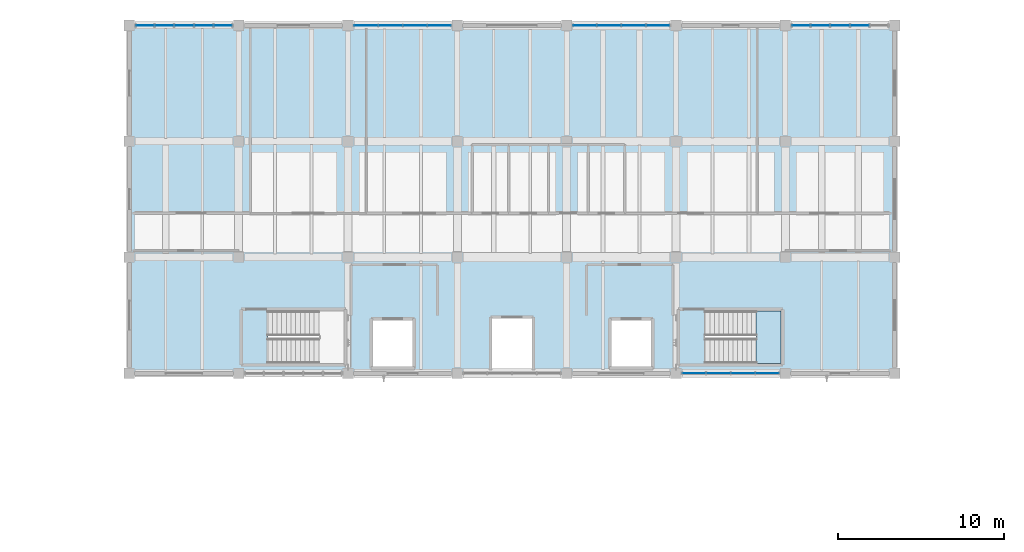
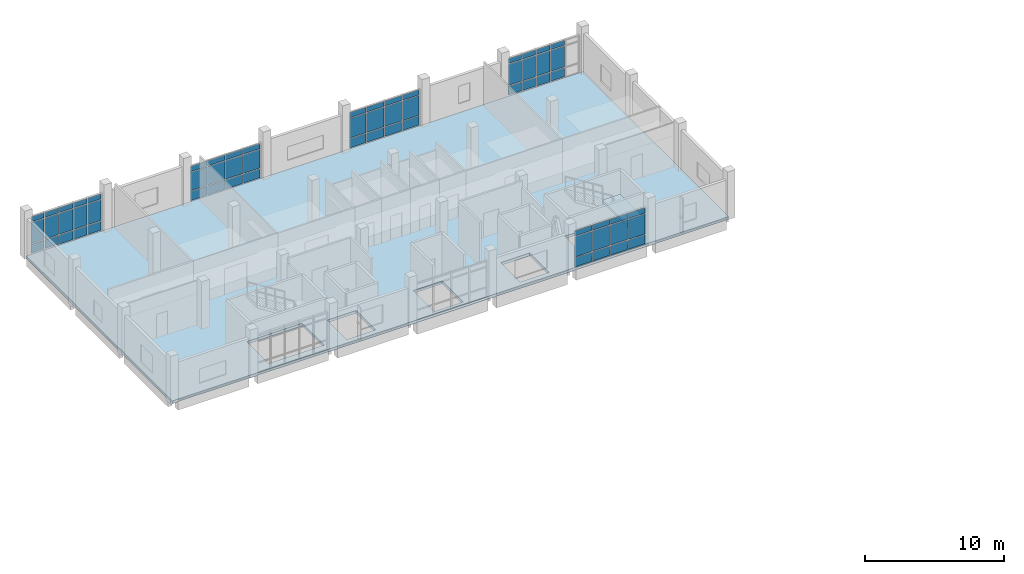
# One storey, part 8 of 16: 63 plates, 2 slabs, 6 elements without a shape of their own.
"""IFC4 building model written with IfcOpenShell, lengths in metres."""

from ifc_helpers import new_model, si_unit, direction, frame, origin, origin_2d, place, context, subcontext, project, spatial, polyline, rectangle, outline, extrude, material, layer, layer_set, type_object, element, aggregate, save


model = new_model("IFC4")

# Units and contexts
model_context = context("Model", 3, precision=1e-05, world=origin(), true_north=direction((0.0, 1.0)))
body_context = subcontext(model_context, "Body", "Model", "MODEL_VIEW")
ifc_project = project(units=[si_unit("LENGTHUNIT", "METRE"), si_unit("AREAUNIT", "SQUARE_METRE"), si_unit("VOLUMEUNIT", "CUBIC_METRE"), si_unit("PLANEANGLEUNIT", "RADIAN"), si_unit("MASSUNIT", "GRAM", prefix="KILO")], contexts=[model_context])

# Site, building, storey
site_placement = place(None, origin())
site = spatial("IfcSite", under=ifc_project, at=site_placement, CompositionType="ELEMENT")
building_placement = place(site_placement, origin())
building = spatial("IfcBuilding", under=site, at=building_placement, Name="Ciguamira Faculty of Natural Sciences", CompositionType="ELEMENT")
storey_placement = place(building_placement, frame((0.0, 0.0, 25.199951171875)))
storey = spatial("IfcBuildingStorey", under=building, at=storey_placement, Name="L06", CompositionType="ELEMENT", Elevation=25.199951171875)

# Curtain wall, plates
ifc_material_1 = material(Name="Anodized aluminium curtain wall", Category="aluminium")
curtain_wall_type_1 = type_object("IfcCurtainWallType", Name="CurtainWall_CW-11", PredefinedType="USERDEFINED", material=ifc_material_1)
curtain_wall_1_placement = place(storey_placement, origin())
curtain_wall_1 = element("IfcCurtainWall", 1, at=curtain_wall_1_placement, inside=storey, type_object=curtain_wall_type_1, Name="L06 unitised curtain wall 0143", ObjectType="UNITISED CURTAIN WALL", PredefinedType="USERDEFINED")
ifc_material_2 = material(Name="Low-E laminated solar glass", Category="glass")
ifc_layer_1 = layer(ifc_material_2, 0.028076171875, Name="Low-E laminated solar glass")
ifc_layer_set_1 = layer_set([ifc_layer_1], Name="Low-E laminated solar glass")
plate_type_1 = type_object("IfcPlateType", Name="CWPanel_CWP-01", PredefinedType="CURTAIN_PANEL", material=ifc_layer_set_1)
plate_1_placement = place(storey_placement, frame((97.986328125, 94.0, 0.070068359375), z_axis=(0.0, 0.0, 1.0), x_axis=(1.0, 0.0, 0.0)))
plate_1 = element("IfcPlate", 2, at=plate_1_placement, type_object=plate_type_1, Name="CW-11 panel 1.1", PredefinedType="CURTAIN_PANEL", context=body_context, shape_type="SweptSolid", body=[
    extrude(rectangle(XDim=1.382568359375, YDim=0.028076171875, at=origin_2d()), origin(), (0.0, 0.0, 1.0), 0.794921875),
])
plate_2_placement = place(storey_placement, frame((97.986328125, 94.0, 0.93505859375), z_axis=(0.0, 0.0, 1.0), x_axis=(1.0, 0.0, 0.0)))
plate_2 = element("IfcPlate", 3, at=plate_2_placement, type_object=plate_type_1, Name="CW-11 panel 1.2", PredefinedType="CURTAIN_PANEL", context=body_context, shape_type="SweptSolid", body=[
    extrude(rectangle(XDim=1.382568359375, YDim=0.028076171875, at=origin_2d()), origin(), (0.0, 0.0, 1.0), 1.764892578125),
])
plate_3_placement = place(storey_placement, frame((97.986328125, 94.0, 2.77001953125), z_axis=(0.0, 0.0, 1.0), x_axis=(1.0, 0.0, 0.0)))
plate_3 = element("IfcPlate", 4, at=plate_3_placement, type_object=plate_type_1, Name="CW-11 panel 1.3", PredefinedType="CURTAIN_PANEL", context=body_context, shape_type="SweptSolid", body=[
    extrude(rectangle(XDim=1.382568359375, YDim=0.028076171875, at=origin_2d()), origin(), (0.0, 0.0, 1.0), 0.445068359375),
])
plate_4_placement = place(storey_placement, frame((99.456298828125, 94.0, 0.070068359375), z_axis=(0.0, 0.0, 1.0), x_axis=(1.0, 0.0, 0.0)))
plate_4 = element("IfcPlate", 5, at=plate_4_placement, type_object=plate_type_1, Name="CW-11 panel 2.1", PredefinedType="CURTAIN_PANEL", context=body_context, shape_type="SweptSolid", body=[
    extrude(rectangle(XDim=1.41748046875, YDim=0.028076171875, at=origin_2d()), origin(), (0.0, 0.0, 1.0), 0.794921875),
])
plate_5_placement = place(storey_placement, frame((99.456298828125, 94.0, 0.93505859375), z_axis=(0.0, 0.0, 1.0), x_axis=(1.0, 0.0, 0.0)))
plate_5 = element("IfcPlate", 6, at=plate_5_placement, type_object=plate_type_1, Name="CW-11 panel 2.2", PredefinedType="CURTAIN_PANEL", context=body_context, shape_type="SweptSolid", body=[
    extrude(rectangle(XDim=1.41748046875, YDim=0.028076171875, at=origin_2d()), origin(), (0.0, 0.0, 1.0), 1.764892578125),
])
plate_6_placement = place(storey_placement, frame((99.456298828125, 94.0, 2.77001953125), z_axis=(0.0, 0.0, 1.0), x_axis=(1.0, 0.0, 0.0)))
plate_6 = element("IfcPlate", 7, at=plate_6_placement, type_object=plate_type_1, Name="CW-11 panel 2.3", PredefinedType="CURTAIN_PANEL", context=body_context, shape_type="SweptSolid", body=[
    extrude(rectangle(XDim=1.41748046875, YDim=0.028076171875, at=origin_2d()), origin(), (0.0, 0.0, 1.0), 0.445068359375),
])
plate_7_placement = place(storey_placement, frame((100.94384765625, 94.0, 0.070068359375), z_axis=(0.0, 0.0, 1.0), x_axis=(1.0, 0.0, 0.0)))
plate_7 = element("IfcPlate", 8, at=plate_7_placement, type_object=plate_type_1, Name="CW-11 panel 3.1", PredefinedType="CURTAIN_PANEL", context=body_context, shape_type="SweptSolid", body=[
    extrude(rectangle(XDim=1.41748046875, YDim=0.028076171875, at=origin_2d()), origin(), (0.0, 0.0, 1.0), 0.794921875),
])
plate_8_placement = place(storey_placement, frame((100.94384765625, 94.0, 0.93505859375), z_axis=(0.0, 0.0, 1.0), x_axis=(1.0, 0.0, 0.0)))
plate_8 = element("IfcPlate", 9, at=plate_8_placement, type_object=plate_type_1, Name="CW-11 panel 3.2", PredefinedType="CURTAIN_PANEL", context=body_context, shape_type="SweptSolid", body=[
    extrude(rectangle(XDim=1.41748046875, YDim=0.028076171875, at=origin_2d()), origin(), (0.0, 0.0, 1.0), 1.764892578125),
])
plate_9_placement = place(storey_placement, frame((100.94384765625, 94.0, 2.77001953125), z_axis=(0.0, 0.0, 1.0), x_axis=(1.0, 0.0, 0.0)))
plate_9 = element("IfcPlate", 10, at=plate_9_placement, type_object=plate_type_1, Name="CW-11 panel 3.3", PredefinedType="CURTAIN_PANEL", context=body_context, shape_type="SweptSolid", body=[
    extrude(rectangle(XDim=1.41748046875, YDim=0.028076171875, at=origin_2d()), origin(), (0.0, 0.0, 1.0), 0.445068359375),
])
plate_10_placement = place(storey_placement, frame((102.413818359375, 94.0, 0.070068359375), z_axis=(0.0, 0.0, 1.0), x_axis=(1.0, 0.0, 0.0)))
plate_10 = element("IfcPlate", 11, at=plate_10_placement, type_object=plate_type_1, Name="CW-11 panel 4.1", PredefinedType="CURTAIN_PANEL", context=body_context, shape_type="SweptSolid", body=[
    extrude(rectangle(XDim=1.382568359375, YDim=0.028076171875, at=origin_2d()), origin(), (0.0, 0.0, 1.0), 0.794921875),
])
plate_11_placement = place(storey_placement, frame((102.413818359375, 94.0, 0.93505859375), z_axis=(0.0, 0.0, 1.0), x_axis=(1.0, 0.0, 0.0)))
plate_11 = element("IfcPlate", 12, at=plate_11_placement, type_object=plate_type_1, Name="CW-11 panel 4.2", PredefinedType="CURTAIN_PANEL", context=body_context, shape_type="SweptSolid", body=[
    extrude(rectangle(XDim=1.382568359375, YDim=0.028076171875, at=origin_2d()), origin(), (0.0, 0.0, 1.0), 1.764892578125),
])
plate_12_placement = place(storey_placement, frame((102.413818359375, 94.0, 2.77001953125), z_axis=(0.0, 0.0, 1.0), x_axis=(1.0, 0.0, 0.0)))
plate_12 = element("IfcPlate", 13, at=plate_12_placement, type_object=plate_type_1, Name="CW-11 panel 4.3", PredefinedType="CURTAIN_PANEL", context=body_context, shape_type="SweptSolid", body=[
    extrude(rectangle(XDim=1.382568359375, YDim=0.028076171875, at=origin_2d()), origin(), (0.0, 0.0, 1.0), 0.445068359375),
])
aggregate(curtain_wall_1, [plate_1, plate_2, plate_3, plate_4, plate_5, plate_6, plate_7, plate_8, plate_9, plate_10, plate_11, plate_12])

curtain_wall_type_2 = type_object("IfcCurtainWallType", Name="CurtainWall_CW-01", PredefinedType="USERDEFINED", material=ifc_material_1)
curtain_wall_2_placement = place(storey_placement, origin())
curtain_wall_2 = element("IfcCurtainWall", 14, at=curtain_wall_2_placement, inside=storey, type_object=curtain_wall_type_2, Name="L06 unitised curtain wall 0145", ObjectType="UNITISED CURTAIN WALL", PredefinedType="USERDEFINED")
plate_13_placement = place(storey_placement, frame((78.183837890625, 115.0, 0.06005859375), z_axis=(0.0, 0.0, 1.0), x_axis=(1.0, 0.0, 0.0)))
plate_13 = element("IfcPlate", 15, at=plate_13_placement, type_object=plate_type_1, Name="CW-01 panel 1.1", PredefinedType="CURTAIN_PANEL", context=body_context, shape_type="SweptSolid", body=[
    extrude(rectangle(XDim=1.3974609375, YDim=0.028076171875, at=origin_2d()), origin(), (0.0, 0.0, 1.0), 0.81005859375),
])
plate_14_placement = place(storey_placement, frame((78.183837890625, 115.0, 0.929931640625), z_axis=(0.0, 0.0, 1.0), x_axis=(1.0, 0.0, 0.0)))
plate_14 = element("IfcPlate", 16, at=plate_14_placement, type_object=plate_type_1, Name="CW-01 panel 1.2", PredefinedType="CURTAIN_PANEL", context=body_context, shape_type="SweptSolid", body=[
    extrude(rectangle(XDim=1.3974609375, YDim=0.028076171875, at=origin_2d()), origin(), (0.0, 0.0, 1.0), 1.625),
])
plate_15_placement = place(storey_placement, frame((78.183837890625, 115.0, 2.614990234375), z_axis=(0.0, 0.0, 1.0), x_axis=(1.0, 0.0, 0.0)))
plate_15 = element("IfcPlate", 17, at=plate_15_placement, type_object=plate_type_1, Name="CW-01 panel 1.3", PredefinedType="CURTAIN_PANEL", context=body_context, shape_type="SweptSolid", body=[
    extrude(rectangle(XDim=1.3974609375, YDim=0.028076171875, at=origin_2d()), origin(), (0.0, 0.0, 1.0), 0.4599609375),
])
plate_16_placement = place(storey_placement, frame((79.65625, 115.0, 0.06005859375), z_axis=(0.0, 0.0, 1.0), x_axis=(1.0, 0.0, 0.0)))
plate_16 = element("IfcPlate", 18, at=plate_16_placement, type_object=plate_type_1, Name="CW-01 panel 2.1", PredefinedType="CURTAIN_PANEL", context=body_context, shape_type="SweptSolid", body=[
    extrude(rectangle(XDim=1.427490234375, YDim=0.028076171875, at=origin_2d()), origin(), (0.0, 0.0, 1.0), 0.81005859375),
])
plate_17_placement = place(storey_placement, frame((79.65625, 115.0, 0.929931640625), z_axis=(0.0, 0.0, 1.0), x_axis=(1.0, 0.0, 0.0)))
plate_17 = element("IfcPlate", 19, at=plate_17_placement, type_object=plate_type_1, Name="CW-01 panel 2.2", PredefinedType="CURTAIN_PANEL", context=body_context, shape_type="SweptSolid", body=[
    extrude(rectangle(XDim=1.427490234375, YDim=0.028076171875, at=origin_2d()), origin(), (0.0, 0.0, 1.0), 1.625),
])
plate_18_placement = place(storey_placement, frame((79.65625, 115.0, 2.614990234375), z_axis=(0.0, 0.0, 1.0), x_axis=(1.0, 0.0, 0.0)))
plate_18 = element("IfcPlate", 20, at=plate_18_placement, type_object=plate_type_1, Name="CW-01 panel 2.3", PredefinedType="CURTAIN_PANEL", context=body_context, shape_type="SweptSolid", body=[
    extrude(rectangle(XDim=1.427490234375, YDim=0.028076171875, at=origin_2d()), origin(), (0.0, 0.0, 1.0), 0.4599609375),
])
plate_19_placement = place(storey_placement, frame((81.143798828125, 115.0, 0.06005859375), z_axis=(0.0, 0.0, 1.0), x_axis=(1.0, 0.0, 0.0)))
plate_19 = element("IfcPlate", 21, at=plate_19_placement, type_object=plate_type_1, Name="CW-01 panel 3.1", PredefinedType="CURTAIN_PANEL", context=body_context, shape_type="SweptSolid", body=[
    extrude(rectangle(XDim=1.427490234375, YDim=0.028076171875, at=origin_2d()), origin(), (0.0, 0.0, 1.0), 0.81005859375),
])
plate_20_placement = place(storey_placement, frame((81.143798828125, 115.0, 0.929931640625), z_axis=(0.0, 0.0, 1.0), x_axis=(1.0, 0.0, 0.0)))
plate_20 = element("IfcPlate", 22, at=plate_20_placement, type_object=plate_type_1, Name="CW-01 panel 3.2", PredefinedType="CURTAIN_PANEL", context=body_context, shape_type="SweptSolid", body=[
    extrude(rectangle(XDim=1.427490234375, YDim=0.028076171875, at=origin_2d()), origin(), (0.0, 0.0, 1.0), 1.625),
])
plate_21_placement = place(storey_placement, frame((81.143798828125, 115.0, 2.614990234375), z_axis=(0.0, 0.0, 1.0), x_axis=(1.0, 0.0, 0.0)))
plate_21 = element("IfcPlate", 23, at=plate_21_placement, type_object=plate_type_1, Name="CW-01 panel 3.3", PredefinedType="CURTAIN_PANEL", context=body_context, shape_type="SweptSolid", body=[
    extrude(rectangle(XDim=1.427490234375, YDim=0.028076171875, at=origin_2d()), origin(), (0.0, 0.0, 1.0), 0.4599609375),
])
plate_22_placement = place(storey_placement, frame((82.6162109375, 115.0, 0.06005859375), z_axis=(0.0, 0.0, 1.0), x_axis=(1.0, 0.0, 0.0)))
plate_22 = element("IfcPlate", 24, at=plate_22_placement, type_object=plate_type_1, Name="CW-01 panel 4.1", PredefinedType="CURTAIN_PANEL", context=body_context, shape_type="SweptSolid", body=[
    extrude(rectangle(XDim=1.3974609375, YDim=0.028076171875, at=origin_2d()), origin(), (0.0, 0.0, 1.0), 0.81005859375),
])
plate_23_placement = place(storey_placement, frame((82.6162109375, 115.0, 0.929931640625), z_axis=(0.0, 0.0, 1.0), x_axis=(1.0, 0.0, 0.0)))
plate_23 = element("IfcPlate", 25, at=plate_23_placement, type_object=plate_type_1, Name="CW-01 panel 4.2", PredefinedType="CURTAIN_PANEL", context=body_context, shape_type="SweptSolid", body=[
    extrude(rectangle(XDim=1.3974609375, YDim=0.028076171875, at=origin_2d()), origin(), (0.0, 0.0, 1.0), 1.625),
])
plate_24_placement = place(storey_placement, frame((82.6162109375, 115.0, 2.614990234375), z_axis=(0.0, 0.0, 1.0), x_axis=(1.0, 0.0, 0.0)))
plate_24 = element("IfcPlate", 26, at=plate_24_placement, type_object=plate_type_1, Name="CW-01 panel 4.3", PredefinedType="CURTAIN_PANEL", context=body_context, shape_type="SweptSolid", body=[
    extrude(rectangle(XDim=1.3974609375, YDim=0.028076171875, at=origin_2d()), origin(), (0.0, 0.0, 1.0), 0.4599609375),
])
aggregate(curtain_wall_2, [plate_13, plate_14, plate_15, plate_16, plate_17, plate_18, plate_19, plate_20, plate_21, plate_22, plate_23, plate_24])

curtain_wall_type_3 = type_object("IfcCurtainWallType", Name="CurtainWall_CW-03", PredefinedType="USERDEFINED", material=ifc_material_1)
curtain_wall_3_placement = place(storey_placement, origin())
curtain_wall_3 = element("IfcCurtainWall", 27, at=curtain_wall_3_placement, inside=storey, type_object=curtain_wall_type_3, Name="L06 unitised curtain wall 0147", ObjectType="UNITISED CURTAIN WALL", PredefinedType="USERDEFINED")
plate_25_placement = place(storey_placement, frame((104.43994140625, 115.0, 0.080078125), z_axis=(0.0, 0.0, 1.0), x_axis=(1.0, 0.0, 0.0)))
plate_25 = element("IfcPlate", 28, at=plate_25_placement, type_object=plate_type_1, Name="CW-03 panel 1.1", PredefinedType="CURTAIN_PANEL", context=body_context, shape_type="SweptSolid", body=[
    extrude(rectangle(XDim=1.070068359375, YDim=0.028076171875, at=origin_2d()), origin(), (0.0, 0.0, 1.0), 0.780029296875),
])
plate_26_placement = place(storey_placement, frame((104.43994140625, 115.0, 0.940185546875), z_axis=(0.0, 0.0, 1.0), x_axis=(1.0, 0.0, 0.0)))
plate_26 = element("IfcPlate", 29, at=plate_26_placement, type_object=plate_type_1, Name="CW-03 panel 1.2", PredefinedType="CURTAIN_PANEL", context=body_context, shape_type="SweptSolid", body=[
    extrude(rectangle(XDim=1.070068359375, YDim=0.028076171875, at=origin_2d()), origin(), (0.0, 0.0, 1.0), 1.8349609375),
])
plate_27_placement = place(storey_placement, frame((104.43994140625, 115.0, 2.85498046875), z_axis=(0.0, 0.0, 1.0), x_axis=(1.0, 0.0, 0.0)))
plate_27 = element("IfcPlate", 30, at=plate_27_placement, type_object=plate_type_1, Name="CW-03 panel 1.3", PredefinedType="CURTAIN_PANEL", context=body_context, shape_type="SweptSolid", body=[
    extrude(rectangle(XDim=1.070068359375, YDim=0.028076171875, at=origin_2d()), origin(), (0.0, 0.0, 1.0), 0.429931640625),
])
plate_28_placement = place(storey_placement, frame((105.610107421875, 115.0, 0.080078125), z_axis=(0.0, 0.0, 1.0), x_axis=(1.0, 0.0, 0.0)))
plate_28 = element("IfcPlate", 31, at=plate_28_placement, type_object=plate_type_1, Name="CW-03 panel 2.1", PredefinedType="CURTAIN_PANEL", context=body_context, shape_type="SweptSolid", body=[
    extrude(rectangle(XDim=1.110107421875, YDim=0.028076171875, at=origin_2d()), origin(), (0.0, 0.0, 1.0), 0.780029296875),
])
plate_29_placement = place(storey_placement, frame((105.610107421875, 115.0, 0.940185546875), z_axis=(0.0, 0.0, 1.0), x_axis=(1.0, 0.0, 0.0)))
plate_29 = element("IfcPlate", 32, at=plate_29_placement, type_object=plate_type_1, Name="CW-03 panel 2.2", PredefinedType="CURTAIN_PANEL", context=body_context, shape_type="SweptSolid", body=[
    extrude(rectangle(XDim=1.110107421875, YDim=0.028076171875, at=origin_2d()), origin(), (0.0, 0.0, 1.0), 1.8349609375),
])
plate_30_placement = place(storey_placement, frame((105.610107421875, 115.0, 2.85498046875), z_axis=(0.0, 0.0, 1.0), x_axis=(1.0, 0.0, 0.0)))
plate_30 = element("IfcPlate", 33, at=plate_30_placement, type_object=plate_type_1, Name="CW-03 panel 2.3", PredefinedType="CURTAIN_PANEL", context=body_context, shape_type="SweptSolid", body=[
    extrude(rectangle(XDim=1.110107421875, YDim=0.028076171875, at=origin_2d()), origin(), (0.0, 0.0, 1.0), 0.429931640625),
])
plate_31_placement = place(storey_placement, frame((106.800048828125, 115.0, 0.080078125), z_axis=(0.0, 0.0, 1.0), x_axis=(1.0, 0.0, 0.0)))
plate_31 = element("IfcPlate", 34, at=plate_31_placement, type_object=plate_type_1, Name="CW-03 panel 3.1", PredefinedType="CURTAIN_PANEL", context=body_context, shape_type="SweptSolid", body=[
    extrude(rectangle(XDim=1.110107421875, YDim=0.028076171875, at=origin_2d()), origin(), (0.0, 0.0, 1.0), 0.780029296875),
])
plate_32_placement = place(storey_placement, frame((106.800048828125, 115.0, 0.940185546875), z_axis=(0.0, 0.0, 1.0), x_axis=(1.0, 0.0, 0.0)))
plate_32 = element("IfcPlate", 35, at=plate_32_placement, type_object=plate_type_1, Name="CW-03 panel 3.2", PredefinedType="CURTAIN_PANEL", context=body_context, shape_type="SweptSolid", body=[
    extrude(rectangle(XDim=1.110107421875, YDim=0.028076171875, at=origin_2d()), origin(), (0.0, 0.0, 1.0), 1.8349609375),
])
plate_33_placement = place(storey_placement, frame((106.800048828125, 115.0, 2.85498046875), z_axis=(0.0, 0.0, 1.0), x_axis=(1.0, 0.0, 0.0)))
plate_33 = element("IfcPlate", 36, at=plate_33_placement, type_object=plate_type_1, Name="CW-03 panel 3.3", PredefinedType="CURTAIN_PANEL", context=body_context, shape_type="SweptSolid", body=[
    extrude(rectangle(XDim=1.110107421875, YDim=0.028076171875, at=origin_2d()), origin(), (0.0, 0.0, 1.0), 0.429931640625),
])
plate_34_placement = place(storey_placement, frame((107.989990234375, 115.0, 0.080078125), z_axis=(0.0, 0.0, 1.0), x_axis=(1.0, 0.0, 0.0)))
plate_34 = element("IfcPlate", 37, at=plate_34_placement, type_object=plate_type_1, Name="CW-03 panel 4.1", PredefinedType="CURTAIN_PANEL", context=body_context, shape_type="SweptSolid", body=[
    extrude(rectangle(XDim=1.110107421875, YDim=0.028076171875, at=origin_2d()), origin(), (0.0, 0.0, 1.0), 0.780029296875),
])
plate_35_placement = place(storey_placement, frame((107.989990234375, 115.0, 0.940185546875), z_axis=(0.0, 0.0, 1.0), x_axis=(1.0, 0.0, 0.0)))
plate_35 = element("IfcPlate", 38, at=plate_35_placement, type_object=plate_type_1, Name="CW-03 panel 4.2", PredefinedType="CURTAIN_PANEL", context=body_context, shape_type="SweptSolid", body=[
    extrude(rectangle(XDim=1.110107421875, YDim=0.028076171875, at=origin_2d()), origin(), (0.0, 0.0, 1.0), 1.8349609375),
])
plate_36_placement = place(storey_placement, frame((107.989990234375, 115.0, 2.85498046875), z_axis=(0.0, 0.0, 1.0), x_axis=(1.0, 0.0, 0.0)))
plate_36 = element("IfcPlate", 39, at=plate_36_placement, type_object=plate_type_1, Name="CW-03 panel 4.3", PredefinedType="CURTAIN_PANEL", context=body_context, shape_type="SweptSolid", body=[
    extrude(rectangle(XDim=1.110107421875, YDim=0.028076171875, at=origin_2d()), origin(), (0.0, 0.0, 1.0), 0.429931640625),
])
aggregate(curtain_wall_3, [plate_25, plate_26, plate_27, plate_28, plate_29, plate_30, plate_31, plate_32, plate_33, plate_34, plate_35, plate_36])

curtain_wall_type_4 = type_object("IfcCurtainWallType", Name="CurtainWall_CW-12", PredefinedType="USERDEFINED", material=ifc_material_1)
curtain_wall_4_placement = place(storey_placement, origin())
curtain_wall_4 = element("IfcCurtainWall", 40, at=curtain_wall_4_placement, inside=storey, type_object=curtain_wall_type_4, Name="L06 unitised curtain wall 0144", ObjectType="UNITISED CURTAIN WALL", PredefinedType="USERDEFINED")
ifc_layer_2 = layer(ifc_material_2, 0.035888671875, Name="Low-E laminated solar glass")
ifc_layer_set_2 = layer_set([ifc_layer_2], Name="Low-E laminated solar glass")
plate_type_2 = type_object("IfcPlateType", Name="CWPanel_CWP-02", PredefinedType="CURTAIN_PANEL", material=ifc_layer_set_2)
plate_37_placement = place(storey_placement, frame((64.840087890625, 115.0, 0.080078125), z_axis=(0.0, 0.0, 1.0), x_axis=(1.0, 0.0, 0.0)))
plate_37 = element("IfcPlate", 41, at=plate_37_placement, type_object=plate_type_2, Name="CW-12 panel 1.1", PredefinedType="CURTAIN_PANEL", context=body_context, shape_type="SweptSolid", body=[
    extrude(rectangle(XDim=1.070068359375, YDim=0.035888671875, at=origin_2d()), origin(), (0.0, 0.0, 1.0), 0.780029296875),
])
plate_38_placement = place(storey_placement, frame((64.840087890625, 115.0, 0.940185546875), z_axis=(0.0, 0.0, 1.0), x_axis=(1.0, 0.0, 0.0)))
plate_38 = element("IfcPlate", 42, at=plate_38_placement, type_object=plate_type_2, Name="CW-12 panel 1.2", PredefinedType="CURTAIN_PANEL", context=body_context, shape_type="SweptSolid", body=[
    extrude(rectangle(XDim=1.070068359375, YDim=0.035888671875, at=origin_2d()), origin(), (0.0, 0.0, 1.0), 1.81494140625),
])
plate_39_placement = place(storey_placement, frame((64.840087890625, 115.0, 2.8349609375), z_axis=(0.0, 0.0, 1.0), x_axis=(1.0, 0.0, 0.0)))
plate_39 = element("IfcPlate", 43, at=plate_39_placement, type_object=plate_type_2, Name="CW-12 panel 1.3", PredefinedType="CURTAIN_PANEL", context=body_context, shape_type="SweptSolid", body=[
    extrude(rectangle(XDim=1.070068359375, YDim=0.035888671875, at=origin_2d()), origin(), (0.0, 0.0, 1.0), 0.429931640625),
])
plate_40_placement = place(storey_placement, frame((66.010009765625, 115.0, 0.080078125), z_axis=(0.0, 0.0, 1.0), x_axis=(1.0, 0.0, 0.0)))
plate_40 = element("IfcPlate", 44, at=plate_40_placement, type_object=plate_type_2, Name="CW-12 panel 2.1", PredefinedType="CURTAIN_PANEL", context=body_context, shape_type="SweptSolid", body=[
    extrude(rectangle(XDim=1.110107421875, YDim=0.035888671875, at=origin_2d()), origin(), (0.0, 0.0, 1.0), 0.780029296875),
])
plate_41_placement = place(storey_placement, frame((66.010009765625, 115.0, 0.940185546875), z_axis=(0.0, 0.0, 1.0), x_axis=(1.0, 0.0, 0.0)))
plate_41 = element("IfcPlate", 45, at=plate_41_placement, type_object=plate_type_2, Name="CW-12 panel 2.2", PredefinedType="CURTAIN_PANEL", context=body_context, shape_type="SweptSolid", body=[
    extrude(rectangle(XDim=1.110107421875, YDim=0.035888671875, at=origin_2d()), origin(), (0.0, 0.0, 1.0), 1.81494140625),
])
plate_42_placement = place(storey_placement, frame((66.010009765625, 115.0, 2.8349609375), z_axis=(0.0, 0.0, 1.0), x_axis=(1.0, 0.0, 0.0)))
plate_42 = element("IfcPlate", 46, at=plate_42_placement, type_object=plate_type_2, Name="CW-12 panel 2.3", PredefinedType="CURTAIN_PANEL", context=body_context, shape_type="SweptSolid", body=[
    extrude(rectangle(XDim=1.110107421875, YDim=0.035888671875, at=origin_2d()), origin(), (0.0, 0.0, 1.0), 0.429931640625),
])
plate_43_placement = place(storey_placement, frame((67.199951171875, 115.0, 0.080078125), z_axis=(0.0, 0.0, 1.0), x_axis=(1.0, 0.0, 0.0)))
plate_43 = element("IfcPlate", 47, at=plate_43_placement, type_object=plate_type_2, Name="CW-12 panel 3.1", PredefinedType="CURTAIN_PANEL", context=body_context, shape_type="SweptSolid", body=[
    extrude(rectangle(XDim=1.110107421875, YDim=0.035888671875, at=origin_2d()), origin(), (0.0, 0.0, 1.0), 0.780029296875),
])
plate_44_placement = place(storey_placement, frame((67.199951171875, 115.0, 0.940185546875), z_axis=(0.0, 0.0, 1.0), x_axis=(1.0, 0.0, 0.0)))
plate_44 = element("IfcPlate", 48, at=plate_44_placement, type_object=plate_type_2, Name="CW-12 panel 3.2", PredefinedType="CURTAIN_PANEL", context=body_context, shape_type="SweptSolid", body=[
    extrude(rectangle(XDim=1.110107421875, YDim=0.035888671875, at=origin_2d()), origin(), (0.0, 0.0, 1.0), 1.81494140625),
])
plate_45_placement = place(storey_placement, frame((67.199951171875, 115.0, 2.8349609375), z_axis=(0.0, 0.0, 1.0), x_axis=(1.0, 0.0, 0.0)))
plate_45 = element("IfcPlate", 49, at=plate_45_placement, type_object=plate_type_2, Name="CW-12 panel 3.3", PredefinedType="CURTAIN_PANEL", context=body_context, shape_type="SweptSolid", body=[
    extrude(rectangle(XDim=1.110107421875, YDim=0.035888671875, at=origin_2d()), origin(), (0.0, 0.0, 1.0), 0.429931640625),
])
plate_46_placement = place(storey_placement, frame((68.389892578125, 115.0, 0.080078125), z_axis=(0.0, 0.0, 1.0), x_axis=(1.0, 0.0, 0.0)))
plate_46 = element("IfcPlate", 50, at=plate_46_placement, type_object=plate_type_2, Name="CW-12 panel 4.1", PredefinedType="CURTAIN_PANEL", context=body_context, shape_type="SweptSolid", body=[
    extrude(rectangle(XDim=1.110107421875, YDim=0.035888671875, at=origin_2d()), origin(), (0.0, 0.0, 1.0), 0.780029296875),
])
plate_47_placement = place(storey_placement, frame((68.389892578125, 115.0, 0.940185546875), z_axis=(0.0, 0.0, 1.0), x_axis=(1.0, 0.0, 0.0)))
plate_47 = element("IfcPlate", 51, at=plate_47_placement, type_object=plate_type_2, Name="CW-12 panel 4.2", PredefinedType="CURTAIN_PANEL", context=body_context, shape_type="SweptSolid", body=[
    extrude(rectangle(XDim=1.110107421875, YDim=0.035888671875, at=origin_2d()), origin(), (0.0, 0.0, 1.0), 1.81494140625),
])
plate_48_placement = place(storey_placement, frame((68.389892578125, 115.0, 2.8349609375), z_axis=(0.0, 0.0, 1.0), x_axis=(1.0, 0.0, 0.0)))
plate_48 = element("IfcPlate", 52, at=plate_48_placement, type_object=plate_type_2, Name="CW-12 panel 4.3", PredefinedType="CURTAIN_PANEL", context=body_context, shape_type="SweptSolid", body=[
    extrude(rectangle(XDim=1.110107421875, YDim=0.035888671875, at=origin_2d()), origin(), (0.0, 0.0, 1.0), 0.429931640625),
])
plate_49_placement = place(storey_placement, frame((69.56005859375, 115.0, 0.080078125), z_axis=(0.0, 0.0, 1.0), x_axis=(1.0, 0.0, 0.0)))
plate_49 = element("IfcPlate", 53, at=plate_49_placement, type_object=plate_type_2, Name="CW-12 panel 5.1", PredefinedType="CURTAIN_PANEL", context=body_context, shape_type="SweptSolid", body=[
    extrude(rectangle(XDim=1.070068359375, YDim=0.035888671875, at=origin_2d()), origin(), (0.0, 0.0, 1.0), 0.780029296875),
])
plate_50_placement = place(storey_placement, frame((69.56005859375, 115.0, 0.940185546875), z_axis=(0.0, 0.0, 1.0), x_axis=(1.0, 0.0, 0.0)))
plate_50 = element("IfcPlate", 54, at=plate_50_placement, type_object=plate_type_2, Name="CW-12 panel 5.2", PredefinedType="CURTAIN_PANEL", context=body_context, shape_type="SweptSolid", body=[
    extrude(rectangle(XDim=1.070068359375, YDim=0.035888671875, at=origin_2d()), origin(), (0.0, 0.0, 1.0), 1.81494140625),
])
plate_51_placement = place(storey_placement, frame((69.56005859375, 115.0, 2.8349609375), z_axis=(0.0, 0.0, 1.0), x_axis=(1.0, 0.0, 0.0)))
plate_51 = element("IfcPlate", 55, at=plate_51_placement, type_object=plate_type_2, Name="CW-12 panel 5.3", PredefinedType="CURTAIN_PANEL", context=body_context, shape_type="SweptSolid", body=[
    extrude(rectangle(XDim=1.070068359375, YDim=0.035888671875, at=origin_2d()), origin(), (0.0, 0.0, 1.0), 0.429931640625),
])
aggregate(curtain_wall_4, [plate_37, plate_38, plate_39, plate_40, plate_41, plate_42, plate_43, plate_44, plate_45, plate_46, plate_47, plate_48, plate_49, plate_50, plate_51])

curtain_wall_type_5 = type_object("IfcCurtainWallType", Name="CurtainWall_CW-02", PredefinedType="USERDEFINED", material=ifc_material_1)
curtain_wall_5_placement = place(storey_placement, origin())
curtain_wall_5 = element("IfcCurtainWall", 56, at=curtain_wall_5_placement, inside=storey, type_object=curtain_wall_type_5, Name="L06 unitised curtain wall 0146", ObjectType="UNITISED CURTAIN WALL", PredefinedType="USERDEFINED")
plate_52_placement = place(storey_placement, frame((91.38623046875, 115.0, 0.070068359375), z_axis=(0.0, 0.0, 1.0), x_axis=(1.0, 0.0, 0.0)))
plate_52 = element("IfcPlate", 57, at=plate_52_placement, type_object=plate_type_2, Name="CW-02 panel 1.1", PredefinedType="CURTAIN_PANEL", context=body_context, shape_type="SweptSolid", body=[
    extrude(rectangle(XDim=1.382568359375, YDim=0.035888671875, at=origin_2d()), origin(), (0.0, 0.0, 1.0), 0.794921875),
])
plate_53_placement = place(storey_placement, frame((91.38623046875, 115.0, 0.93505859375), z_axis=(0.0, 0.0, 1.0), x_axis=(1.0, 0.0, 0.0)))
plate_53 = element("IfcPlate", 58, at=plate_53_placement, type_object=plate_type_2, Name="CW-02 panel 1.2", PredefinedType="CURTAIN_PANEL", context=body_context, shape_type="SweptSolid", body=[
    extrude(rectangle(XDim=1.382568359375, YDim=0.035888671875, at=origin_2d()), origin(), (0.0, 0.0, 1.0), 1.715087890625),
])
plate_54_placement = place(storey_placement, frame((91.38623046875, 115.0, 2.72021484375), z_axis=(0.0, 0.0, 1.0), x_axis=(1.0, 0.0, 0.0)))
plate_54 = element("IfcPlate", 59, at=plate_54_placement, type_object=plate_type_2, Name="CW-02 panel 1.3", PredefinedType="CURTAIN_PANEL", context=body_context, shape_type="SweptSolid", body=[
    extrude(rectangle(XDim=1.382568359375, YDim=0.035888671875, at=origin_2d()), origin(), (0.0, 0.0, 1.0), 0.445068359375),
])
plate_55_placement = place(storey_placement, frame((92.856201171875, 115.0, 0.070068359375), z_axis=(0.0, 0.0, 1.0), x_axis=(1.0, 0.0, 0.0)))
plate_55 = element("IfcPlate", 60, at=plate_55_placement, type_object=plate_type_2, Name="CW-02 panel 2.1", PredefinedType="CURTAIN_PANEL", context=body_context, shape_type="SweptSolid", body=[
    extrude(rectangle(XDim=1.41748046875, YDim=0.035888671875, at=origin_2d()), origin(), (0.0, 0.0, 1.0), 0.794921875),
])
plate_56_placement = place(storey_placement, frame((92.856201171875, 115.0, 0.93505859375), z_axis=(0.0, 0.0, 1.0), x_axis=(1.0, 0.0, 0.0)))
plate_56 = element("IfcPlate", 61, at=plate_56_placement, type_object=plate_type_2, Name="CW-02 panel 2.2", PredefinedType="CURTAIN_PANEL", context=body_context, shape_type="SweptSolid", body=[
    extrude(rectangle(XDim=1.41748046875, YDim=0.035888671875, at=origin_2d()), origin(), (0.0, 0.0, 1.0), 1.715087890625),
])
plate_57_placement = place(storey_placement, frame((92.856201171875, 115.0, 2.72021484375), z_axis=(0.0, 0.0, 1.0), x_axis=(1.0, 0.0, 0.0)))
plate_57 = element("IfcPlate", 62, at=plate_57_placement, type_object=plate_type_2, Name="CW-02 panel 2.3", PredefinedType="CURTAIN_PANEL", context=body_context, shape_type="SweptSolid", body=[
    extrude(rectangle(XDim=1.41748046875, YDim=0.035888671875, at=origin_2d()), origin(), (0.0, 0.0, 1.0), 0.445068359375),
])
plate_58_placement = place(storey_placement, frame((94.34375, 115.0, 0.070068359375), z_axis=(0.0, 0.0, 1.0), x_axis=(1.0, 0.0, 0.0)))
plate_58 = element("IfcPlate", 63, at=plate_58_placement, type_object=plate_type_2, Name="CW-02 panel 3.1", PredefinedType="CURTAIN_PANEL", context=body_context, shape_type="SweptSolid", body=[
    extrude(rectangle(XDim=1.41748046875, YDim=0.035888671875, at=origin_2d()), origin(), (0.0, 0.0, 1.0), 0.794921875),
])
plate_59_placement = place(storey_placement, frame((94.34375, 115.0, 0.93505859375), z_axis=(0.0, 0.0, 1.0), x_axis=(1.0, 0.0, 0.0)))
plate_59 = element("IfcPlate", 64, at=plate_59_placement, type_object=plate_type_2, Name="CW-02 panel 3.2", PredefinedType="CURTAIN_PANEL", context=body_context, shape_type="SweptSolid", body=[
    extrude(rectangle(XDim=1.41748046875, YDim=0.035888671875, at=origin_2d()), origin(), (0.0, 0.0, 1.0), 1.715087890625),
])
plate_60_placement = place(storey_placement, frame((94.34375, 115.0, 2.72021484375), z_axis=(0.0, 0.0, 1.0), x_axis=(1.0, 0.0, 0.0)))
plate_60 = element("IfcPlate", 65, at=plate_60_placement, type_object=plate_type_2, Name="CW-02 panel 3.3", PredefinedType="CURTAIN_PANEL", context=body_context, shape_type="SweptSolid", body=[
    extrude(rectangle(XDim=1.41748046875, YDim=0.035888671875, at=origin_2d()), origin(), (0.0, 0.0, 1.0), 0.445068359375),
])
plate_61_placement = place(storey_placement, frame((95.813720703125, 115.0, 0.070068359375), z_axis=(0.0, 0.0, 1.0), x_axis=(1.0, 0.0, 0.0)))
plate_61 = element("IfcPlate", 66, at=plate_61_placement, type_object=plate_type_2, Name="CW-02 panel 4.1", PredefinedType="CURTAIN_PANEL", context=body_context, shape_type="SweptSolid", body=[
    extrude(rectangle(XDim=1.382568359375, YDim=0.035888671875, at=origin_2d()), origin(), (0.0, 0.0, 1.0), 0.794921875),
])
plate_62_placement = place(storey_placement, frame((95.813720703125, 115.0, 0.93505859375), z_axis=(0.0, 0.0, 1.0), x_axis=(1.0, 0.0, 0.0)))
plate_62 = element("IfcPlate", 67, at=plate_62_placement, type_object=plate_type_2, Name="CW-02 panel 4.2", PredefinedType="CURTAIN_PANEL", context=body_context, shape_type="SweptSolid", body=[
    extrude(rectangle(XDim=1.382568359375, YDim=0.035888671875, at=origin_2d()), origin(), (0.0, 0.0, 1.0), 1.715087890625),
])
plate_63_placement = place(storey_placement, frame((95.813720703125, 115.0, 2.72021484375), z_axis=(0.0, 0.0, 1.0), x_axis=(1.0, 0.0, 0.0)))
plate_63 = element("IfcPlate", 68, at=plate_63_placement, type_object=plate_type_2, Name="CW-02 panel 4.3", PredefinedType="CURTAIN_PANEL", context=body_context, shape_type="SweptSolid", body=[
    extrude(rectangle(XDim=1.382568359375, YDim=0.035888671875, at=origin_2d()), origin(), (0.0, 0.0, 1.0), 0.445068359375),
])
aggregate(curtain_wall_5, [plate_52, plate_53, plate_54, plate_55, plate_56, plate_57, plate_58, plate_59, plate_60, plate_61, plate_62, plate_63])

# Slab
ifc_material_3 = material(Name="Concrete C40/50", Category="concrete")
ifc_layer_3 = layer(ifc_material_3, 0.239990234375, Name="Concrete C40/50")
ifc_layer_set_3 = layer_set([ifc_layer_3], Name="Concrete C40/50")
slab_type_1 = type_object("IfcSlabType", Name="Slab_SF-05_240", PredefinedType="FLOOR", material=ifc_layer_set_3)
slab_1_placement = place(storey_placement, frame((0.0, 0.0, -0.239990234375)))
element("IfcSlab", 69, at=slab_1_placement, inside=storey, type_object=slab_type_1, Name="L06 V5 structural slab", PredefinedType="FLOOR", context=body_context, shape_type="SweptSolid", body=[
    extrude(outline(polyline([(63.89990234375, 94.0), (110.10009765625, 94.0), (110.10009765625, 115.0), (63.89990234375, 115.0), (63.89990234375, 94.0)]), holes=[polyline([(72.260009765625, 94.60009765625), (76.85009765625, 94.60009765625), (76.85009765625, 97.760009765625), (72.260009765625, 97.760009765625), (72.260009765625, 94.60009765625)]), polyline([(98.659912109375, 94.60009765625), (103.25, 94.60009765625), (103.25, 97.760009765625), (98.659912109375, 97.760009765625), (98.659912109375, 94.60009765625)]), polyline([(78.60009765625, 94.39990234375), (81.0, 94.39990234375), (81.0, 97.199951171875), (78.60009765625, 97.199951171875), (78.60009765625, 94.39990234375)]), polyline([(93.0, 94.39990234375), (95.39990234375, 94.39990234375), (95.39990234375, 97.199951171875), (93.0, 97.199951171875), (93.0, 94.39990234375)]), polyline([(85.800048828125, 94.300048828125), (88.199951171875, 94.300048828125), (88.199951171875, 97.300048828125), (85.800048828125, 97.300048828125), (85.800048828125, 94.300048828125)])]), origin(), (0.0, 0.0, 1.0), 0.239990234375),
])

# Stair, slab
stair_type = type_object("IfcStairType", Name="Stair_STR-02", PredefinedType="HALF_TURN_STAIR", material=ifc_material_3)
stair_placement = place(storey_placement, origin())
stair = element("IfcStair", 70, at=stair_placement, inside=storey, type_object=stair_type, Name="L06 Tower East Exit Stair", PredefinedType="HALF_TURN_STAIR")
ifc_layer_4 = layer(ifc_material_3, 0.199951171875, Name="Concrete C40/50")
ifc_layer_set_4 = layer_set([ifc_layer_4], Name="Concrete C40/50")
slab_type_2 = type_object("IfcSlabType", Name="StairLanding_SLD01", PredefinedType="LANDING", material=ifc_layer_set_4)
slab_2_placement = place(storey_placement, frame((0.0, 0.0, 1.900146484375)))
slab_2 = element("IfcSlab", 71, at=slab_2_placement, type_object=slab_type_2, Name="ST-T2 landing 1", PredefinedType="LANDING", context=body_context, shape_type="SweptSolid", body=[
    extrude(outline(polyline([(101.739990234375, 94.60009765625), (103.25, 94.60009765625), (103.25, 97.760009765625), (101.739990234375, 97.760009765625), (101.739990234375, 94.60009765625)])), origin(), (0.0, 0.0, 1.0), 0.199951171875),
])
aggregate(stair, [slab_2])

save(model, "model.ifc")
